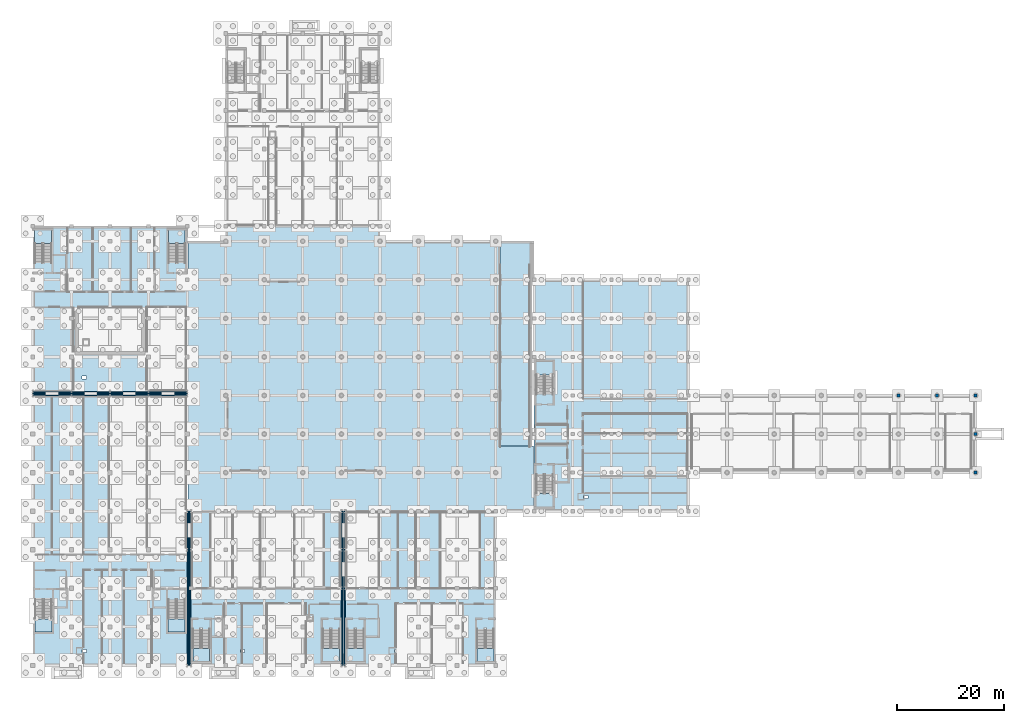
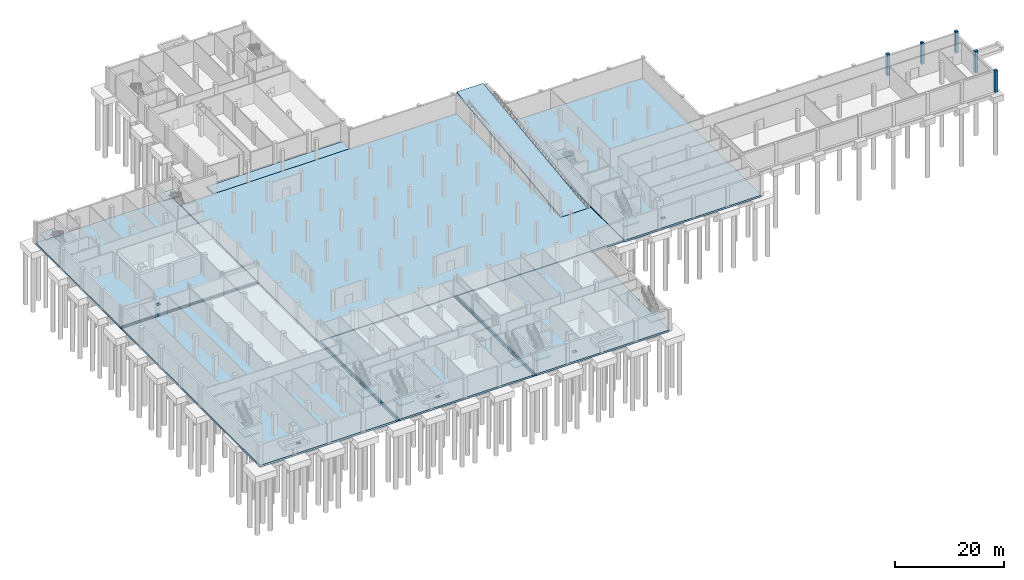
# One storey, part 13 of 35: 24 slabs, 5 columns, 10 elements without a shape of their own.
"""IFC4 building model written with IfcOpenShell, lengths in metres."""

from ifc_helpers import new_model, si_unit, direction, frame, origin, origin_2d, place, context, subcontext, project, spatial, polyline, rectangle, outline, extrude, material, layer, layer_set, material_profile, profile_set, type_object, element, aggregate, save


model = new_model("IFC4")

# Units and contexts
model_context = context("Model", 3, precision=1e-05, world=origin(), true_north=direction((0.0, 1.0)))
body_context = subcontext(model_context, "Body", "Model", "MODEL_VIEW")
ifc_project = project(units=[si_unit("LENGTHUNIT", "METRE"), si_unit("AREAUNIT", "SQUARE_METRE"), si_unit("VOLUMEUNIT", "CUBIC_METRE"), si_unit("PLANEANGLEUNIT", "RADIAN"), si_unit("MASSUNIT", "GRAM", prefix="KILO")], contexts=[model_context])

# Site, building, storey
site_placement = place(None, origin())
site = spatial("IfcSite", under=ifc_project, at=site_placement, CompositionType="ELEMENT")
building_placement = place(site_placement, origin())
building = spatial("IfcBuilding", under=site, at=building_placement, Name="Zarrinpeak Specialist Clinic", CompositionType="ELEMENT")
storey_placement = place(building_placement, frame((0.0, 0.0, -4.800048828125)))
storey = spatial("IfcBuildingStorey", under=building, at=storey_placement, Name="B01", CompositionType="ELEMENT", Elevation=-4.800048828125)

# Columns
ifc_material_1 = material(Name="Concrete C40/50", Category="concrete")
ifc_material_profile = material_profile(ifc_material_1, rectangle(XDim=0.60009765625, YDim=0.60009765625, at=origin_2d()), Name="RC 600x600")
ifc_profile_set = profile_set([ifc_material_profile], Name="Concrete C40/50")
column_type = type_object("IfcColumnType", Name="COL-RC600", PredefinedType="COLUMN", material=ifc_profile_set)
for number, where, z_axis, x_axis, name in (
    (1, (161.60009765625, 50.39990234375, 0.0), (0.0, 0.0, 1.0), (1.0, 0.0, 0.0), "B01 Structural Column COL-B01-241"),
    (2, (168.800048828125, 50.39990234375, 0.0), (0.0, 0.0, 1.0), (1.0, 0.0, 0.0), "B01 Structural Column COL-B01-244"),
    (3, (176.0, 36.0, 0.0), (0.0, 0.0, 1.0), (1.0, 0.0, 0.0), "B01 Structural Column COL-B01-245"),
    (4, (176.0, 43.199951171875, 0.0), (0.0, 0.0, 1.0), (1.0, 0.0, 0.0), "B01 Structural Column COL-B01-246"),
    (5, (176.0, 50.39990234375, 0.0), (0.0, 0.0, 1.0), (1.0, 0.0, 0.0), "B01 Structural Column COL-B01-247"),
):
    element("IfcColumn", number, at=place(storey_placement, frame(where, z_axis=z_axis, x_axis=x_axis)), inside=storey, type_object=column_type, Name=name, PredefinedType="COLUMN", context=body_context, shape_type="SweptSolid", body=[
        extrude(rectangle(XDim=0.60009765625, YDim=0.60009765625, at=origin_2d()), origin(), (0.0, 0.0, 1.0), 4.800048828125),
    ])

# Slabs
ifc_material_2 = material(Name="Concrete C35/45", Category="concrete")
ifc_layer_1 = layer(ifc_material_2, 0.39990234375)
ifc_layer_set_1 = layer_set([ifc_layer_1], Name="Concrete C35/45")
slab_type_1 = type_object("IfcSlabType", Name="SL-BASE400", PredefinedType="BASESLAB", material=ifc_layer_set_1)
slab_1_placement = place(storey_placement, frame((0.0, 0.0, -0.39990234375)))
element("IfcSlab", 6, at=slab_1_placement, inside=storey, type_object=slab_type_1, Name="B01 Substructure Base Slab V2", PredefinedType="BASESLAB", context=body_context, shape_type="SweptSolid", body=[
    extrude(outline(polyline([(29.52001953125, 0.0), (57.60009765625, 0.0), (57.60009765625, 28.800048828125), (29.52001953125, 28.800048828125), (29.52001953125, 0.0)]), holes=[polyline([(38.719970703125, 2.39990234375), (39.52001953125, 2.39990234375), (39.52001953125, 2.949951171875), (38.719970703125, 2.949951171875), (38.719970703125, 2.39990234375)])]), origin(), (0.0, 0.0, 1.0), 0.39990234375),
])
slab_2_placement = place(storey_placement, frame((0.0, 0.0, -0.39990234375)))
element("IfcSlab", 7, at=slab_2_placement, inside=storey, type_object=slab_type_1, Name="B01 Substructure Base Slab V4", PredefinedType="BASESLAB", context=body_context, shape_type="SweptSolid", body=[
    extrude(outline(polyline([(58.320068359375, 0.0), (86.39990234375, 0.0), (86.39990234375, 28.800048828125), (58.320068359375, 28.800048828125), (58.320068359375, 0.0)]), holes=[polyline([(67.52001953125, 2.39990234375), (68.320068359375, 2.39990234375), (68.320068359375, 2.949951171875), (67.52001953125, 2.949951171875), (67.52001953125, 2.39990234375)])]), origin(), (0.0, 0.0, 1.0), 0.39990234375),
])
slab_3_placement = place(storey_placement, frame((0.0, 0.0, -0.39990234375)))
element("IfcSlab", 8, at=slab_3_placement, inside=storey, type_object=slab_type_1, Name="B01 Substructure Base Slab V3", PredefinedType="BASESLAB", context=body_context, shape_type="SweptSolid", body=[
    extrude(outline(polyline([(93.60009765625, 28.800048828125), (122.39990234375, 28.800048828125), (122.39990234375, 72.0), (93.60009765625, 72.0), (93.60009765625, 28.800048828125)]), holes=[polyline([(102.800048828125, 31.199951171875), (103.60009765625, 31.199951171875), (103.60009765625, 31.75), (102.800048828125, 31.75), (102.800048828125, 31.199951171875)])]), origin(), (0.0, 0.0, 1.0), 0.39990234375),
])
slab_4_placement = place(storey_placement, frame((0.0, 0.0, -0.39990234375)))
element("IfcSlab", 9, at=slab_4_placement, inside=storey, type_object=slab_type_1, Name="B01 Substructure Base Slab B01-SJ1A", PredefinedType="BASESLAB", context=body_context, shape_type="SweptSolid", body=[
    extrude(outline(polyline([(28.800048828125, 0.0), (29.090087890625, 0.0), (29.090087890625, 28.800048828125), (28.800048828125, 28.800048828125), (28.800048828125, 0.0)])), origin(), (0.0, 0.0, 1.0), 0.39990234375),
])
slab_5_placement = place(storey_placement, frame((0.0, 0.0, -0.39990234375)))
element("IfcSlab", 10, at=slab_5_placement, inside=storey, type_object=slab_type_1, Name="B01 Substructure Base Slab B01-SJ1B", PredefinedType="BASESLAB", context=body_context, shape_type="SweptSolid", body=[
    extrude(outline(polyline([(29.22998046875, 0.0), (29.52001953125, 0.0), (29.52001953125, 28.800048828125), (29.22998046875, 28.800048828125), (29.22998046875, 0.0)])), origin(), (0.0, 0.0, 1.0), 0.39990234375),
])
slab_6_placement = place(storey_placement, frame((0.0, 0.0, -0.39990234375)))
element("IfcSlab", 11, at=slab_6_placement, inside=storey, type_object=slab_type_1, Name="B01 Substructure Base Slab B01-SJ2A", PredefinedType="BASESLAB", context=body_context, shape_type="SweptSolid", body=[
    extrude(outline(polyline([(57.60009765625, 0.0), (57.889892578125, 0.0), (57.889892578125, 28.800048828125), (57.60009765625, 28.800048828125), (57.60009765625, 0.0)])), origin(), (0.0, 0.0, 1.0), 0.39990234375),
])
slab_7_placement = place(storey_placement, frame((0.0, 0.0, -0.39990234375)))
element("IfcSlab", 12, at=slab_7_placement, inside=storey, type_object=slab_type_1, Name="B01 Substructure Base Slab B01-SJ2B", PredefinedType="BASESLAB", context=body_context, shape_type="SweptSolid", body=[
    extrude(outline(polyline([(58.030029296875, 0.0), (58.320068359375, 0.0), (58.320068359375, 28.800048828125), (58.030029296875, 28.800048828125), (58.030029296875, 0.0)])), origin(), (0.0, 0.0, 1.0), 0.39990234375),
])
slab_8_placement = place(storey_placement, frame((0.0, 0.0, -0.39990234375)))
element("IfcSlab", 13, at=slab_8_placement, inside=storey, type_object=slab_type_1, Name="B01 Substructure Base Slab B01-SJ4A", PredefinedType="BASESLAB", context=body_context, shape_type="SweptSolid", body=[
    extrude(outline(polyline([(0.0, 50.39990234375), (28.800048828125, 50.39990234375), (28.800048828125, 50.68994140625), (0.0, 50.68994140625), (0.0, 50.39990234375)])), origin(), (0.0, 0.0, 1.0), 0.39990234375),
])
slab_9_placement = place(storey_placement, frame((0.0, 0.0, -0.39990234375)))
element("IfcSlab", 14, at=slab_9_placement, inside=storey, type_object=slab_type_1, Name="B01 Substructure Base Slab B01-SJ4B", PredefinedType="BASESLAB", context=body_context, shape_type="SweptSolid", body=[
    extrude(outline(polyline([(0.0, 50.830078125), (28.800048828125, 50.830078125), (28.800048828125, 51.1201171875), (0.0, 51.1201171875), (0.0, 50.830078125)])), origin(), (0.0, 0.0, 1.0), 0.39990234375),
])
slab_10_placement = place(storey_placement, frame((0.0, 0.0, -0.39990234375)))
element("IfcSlab", 15, at=slab_10_placement, inside=storey, type_object=slab_type_1, Name="B01 Substructure Base Slab B01-SJ5A", PredefinedType="BASESLAB", context=body_context, shape_type="SweptSolid", body=[
    extrude(outline(polyline([(36.0, 79.199951171875), (64.800048828125, 79.199951171875), (64.800048828125, 81.860107421875), (36.0, 81.860107421875), (36.0, 79.199951171875)])), origin(), (0.0, 0.0, 1.0), 0.39990234375),
])
slab_11_placement = place(storey_placement, frame((0.0, 0.0, -0.39990234375)))
element("IfcSlab", 16, at=slab_11_placement, inside=storey, type_object=slab_type_1, Name="B01 Substructure Base Slab B01-C1", PredefinedType="BASESLAB", context=body_context, shape_type="SweptSolid", body=[
    extrude(outline(polyline([(28.93994140625, 28.93994140625), (93.4599609375, 28.93994140625), (93.4599609375, 41.0), (87.199951171875, 41.0), (87.199951171875, 79.199951171875), (28.93994140625, 79.199951171875), (28.93994140625, 28.93994140625)])), origin(), (0.0, 0.0, 1.0), 0.39990234375),
])
ifc_layer_2 = layer(ifc_material_1, 0.4599609375)
ifc_layer_set_2 = layer_set([ifc_layer_2], Name="Concrete C40/50")
slab_type_2 = type_object("IfcSlabType", Name="SL-BASE460", PredefinedType="BASESLAB", material=ifc_layer_set_2)
slab_12_placement = place(storey_placement, frame((0.0, 0.0, -0.4599609375)))
element("IfcSlab", 17, at=slab_12_placement, inside=storey, type_object=slab_type_2, Name="B01 Substructure Base Slab V1", PredefinedType="BASESLAB", context=body_context, shape_type="SweptSolid", body=[
    extrude(outline(polyline([(0.0, 0.0), (28.800048828125, 0.0), (28.800048828125, 50.39990234375), (0.0, 50.39990234375), (0.0, 0.0)]), holes=[polyline([(9.199951171875, 2.39990234375), (10.0, 2.39990234375), (10.0, 2.949951171875), (9.199951171875, 2.949951171875), (9.199951171875, 2.39990234375)])]), origin(), (0.0, 0.0, 1.0), 0.4599609375),
])
slab_13_placement = place(storey_placement, frame((0.0, 0.0, -0.4599609375)))
element("IfcSlab", 18, at=slab_13_placement, inside=storey, type_object=slab_type_2, Name="B01 Substructure Base Slab V5", PredefinedType="BASESLAB", context=body_context, shape_type="SweptSolid", body=[
    extrude(outline(polyline([(0.0, 51.1201171875), (28.800048828125, 51.1201171875), (28.800048828125, 82.0), (0.0, 82.0), (0.0, 51.1201171875)]), holes=[polyline([(9.199951171875, 53.52001953125), (10.0, 53.52001953125), (10.0, 54.070068359375), (9.199951171875, 54.070068359375), (9.199951171875, 53.52001953125)])]), origin(), (0.0, 0.0, 1.0), 0.4599609375),
])

# Stair, slab
stair_type = type_object("IfcStairType", Name="ST-DOG", PredefinedType="HALF_TURN_STAIR", material=ifc_material_2)
stair_1_placement = place(storey_placement, origin())
stair_1 = element("IfcStair", 19, at=stair_1_placement, inside=storey, type_object=stair_type, Name="B01 Protected Exit Stair ST-01", PredefinedType="HALF_TURN_STAIR")
ifc_layer_3 = layer(ifc_material_2, 0.199951171875)
ifc_layer_set_3 = layer_set([ifc_layer_3], Name="Concrete C35/45")
slab_type_3 = type_object("IfcSlabType", Name="SL-LAND200", PredefinedType="LANDING", material=ifc_layer_set_3)
slab_14_placement = place(storey_placement, frame((0.0, 0.0, 2.199951171875)))
slab_14 = element("IfcSlab", 20, at=slab_14_placement, type_object=slab_type_3, Name="ST-01 landing 1", PredefinedType="LANDING", context=body_context, shape_type="SweptSolid", body=[
    extrude(outline(polyline([(0.39990234375, 8.7099609375), (0.39990234375, 6.25), (3.550048828125, 6.25), (3.550048828125, 8.7099609375), (0.39990234375, 8.7099609375)])), origin(), (0.0, 0.0, 1.0), 0.2001953125),
])
aggregate(stair_1, [slab_14])

stair_2_placement = place(storey_placement, origin())
stair_2 = element("IfcStair", 21, at=stair_2_placement, inside=storey, type_object=stair_type, Name="B01 Protected Exit Stair ST-02", PredefinedType="HALF_TURN_STAIR")
slab_15_placement = place(storey_placement, frame((0.0, 0.0, 2.199951171875)))
slab_15 = element("IfcSlab", 22, at=slab_15_placement, type_object=slab_type_3, Name="ST-02 landing 1", PredefinedType="LANDING", context=body_context, shape_type="SweptSolid", body=[
    extrude(outline(polyline([(25.25, 8.7099609375), (25.25, 6.25), (28.39990234375, 6.25), (28.39990234375, 8.7099609375), (25.25, 8.7099609375)])), origin(), (0.0, 0.0, 1.0), 0.2001953125),
])
aggregate(stair_2, [slab_15])

stair_3_placement = place(storey_placement, origin())
stair_3 = element("IfcStair", 23, at=stair_3_placement, inside=storey, type_object=stair_type, Name="B01 Protected Exit Stair ST-03", PredefinedType="HALF_TURN_STAIR")
slab_16_placement = place(storey_placement, frame((0.0, 0.0, 2.199951171875)))
slab_16 = element("IfcSlab", 24, at=slab_16_placement, type_object=slab_type_3, Name="ST-03 landing 1", PredefinedType="LANDING", context=body_context, shape_type="SweptSolid", body=[
    extrude(outline(polyline([(29.8701171875, 3.2099609375), (29.8701171875, 0.75), (33.02001953125, 0.75), (33.02001953125, 3.2099609375), (29.8701171875, 3.2099609375)])), origin(), (0.0, 0.0, 1.0), 0.2001953125),
])
aggregate(stair_3, [slab_16])

stair_4_placement = place(storey_placement, origin())
stair_4 = element("IfcStair", 25, at=stair_4_placement, inside=storey, type_object=stair_type, Name="B01 Protected Exit Stair ST-04", PredefinedType="HALF_TURN_STAIR")
slab_17_placement = place(storey_placement, frame((0.0, 0.0, 2.199951171875)))
slab_17 = element("IfcSlab", 26, at=slab_17_placement, type_object=slab_type_3, Name="ST-04 landing 1", PredefinedType="LANDING", context=body_context, shape_type="SweptSolid", body=[
    extrude(outline(polyline([(54.10009765625, 3.2099609375), (54.10009765625, 0.75), (57.25, 0.75), (57.25, 3.2099609375), (54.10009765625, 3.2099609375)])), origin(), (0.0, 0.0, 1.0), 0.2001953125),
])
aggregate(stair_4, [slab_17])

stair_5_placement = place(storey_placement, origin())
stair_5 = element("IfcStair", 27, at=stair_5_placement, inside=storey, type_object=stair_type, Name="B01 Protected Exit Stair ST-05", PredefinedType="HALF_TURN_STAIR")
slab_18_placement = place(storey_placement, frame((0.0, 0.0, 2.199951171875)))
slab_18 = element("IfcSlab", 28, at=slab_18_placement, type_object=slab_type_3, Name="ST-05 landing 1", PredefinedType="LANDING", context=body_context, shape_type="SweptSolid", body=[
    extrude(outline(polyline([(93.949951171875, 32.06005859375), (93.949951171875, 29.60009765625), (97.10009765625, 29.60009765625), (97.10009765625, 32.06005859375), (93.949951171875, 32.06005859375)])), origin(), (0.0, 0.0, 1.0), 0.2001953125),
])
aggregate(stair_5, [slab_18])

stair_6_placement = place(storey_placement, origin())
stair_6 = element("IfcStair", 29, at=stair_6_placement, inside=storey, type_object=stair_type, Name="B01 Protected Exit Stair ST-06", PredefinedType="HALF_TURN_STAIR")
slab_19_placement = place(storey_placement, frame((0.0, 0.0, 2.199951171875)))
slab_19 = element("IfcSlab", 30, at=slab_19_placement, type_object=slab_type_3, Name="ST-06 landing 1", PredefinedType="LANDING", context=body_context, shape_type="SweptSolid", body=[
    extrude(outline(polyline([(97.10009765625, 54.239990234375), (97.10009765625, 56.699951171875), (93.949951171875, 56.699951171875), (93.949951171875, 54.239990234375), (97.10009765625, 54.239990234375)])), origin(), (0.0, 0.0, 1.0), 0.2001953125),
])
aggregate(stair_6, [slab_19])

stair_7_placement = place(storey_placement, origin())
stair_7 = element("IfcStair", 31, at=stair_7_placement, inside=storey, type_object=stair_type, Name="B01 Protected Exit Stair ST-07", PredefinedType="HALF_TURN_STAIR")
slab_20_placement = place(storey_placement, frame((0.0, 0.0, 2.199951171875)))
slab_20 = element("IfcSlab", 32, at=slab_20_placement, type_object=slab_type_3, Name="ST-07 landing 1", PredefinedType="LANDING", context=body_context, shape_type="SweptSolid", body=[
    extrude(outline(polyline([(58.669921875, 3.2099609375), (58.669921875, 0.75), (61.820068359375, 0.75), (61.820068359375, 3.2099609375), (58.669921875, 3.2099609375)])), origin(), (0.0, 0.0, 1.0), 0.2001953125),
])
aggregate(stair_7, [slab_20])

stair_8_placement = place(storey_placement, origin())
stair_8 = element("IfcStair", 33, at=stair_8_placement, inside=storey, type_object=stair_type, Name="B01 Protected Exit Stair ST-08", PredefinedType="HALF_TURN_STAIR")
slab_21_placement = place(storey_placement, frame((0.0, 0.0, 2.199951171875)))
slab_21 = element("IfcSlab", 34, at=slab_21_placement, type_object=slab_type_3, Name="ST-08 landing 1", PredefinedType="LANDING", context=body_context, shape_type="SweptSolid", body=[
    extrude(outline(polyline([(82.89990234375, 3.2099609375), (82.89990234375, 0.75), (86.050048828125, 0.75), (86.050048828125, 3.2099609375), (82.89990234375, 3.2099609375)])), origin(), (0.0, 0.0, 1.0), 0.2001953125),
])
aggregate(stair_8, [slab_21])

stair_9_placement = place(storey_placement, origin())
stair_9 = element("IfcStair", 35, at=stair_9_placement, inside=storey, type_object=stair_type, Name="B01 Protected Exit Stair ST-09", PredefinedType="HALF_TURN_STAIR")
slab_22_placement = place(storey_placement, frame((0.0, 0.0, 2.199951171875)))
slab_22 = element("IfcSlab", 36, at=slab_22_placement, type_object=slab_type_3, Name="ST-09 landing 1", PredefinedType="LANDING", context=body_context, shape_type="SweptSolid", body=[
    extrude(outline(polyline([(3.5, 78.7900390625), (3.5, 81.25), (0.35009765625, 81.25), (0.35009765625, 78.7900390625), (3.5, 78.7900390625)])), origin(), (0.0, 0.0, 1.0), 0.2001953125),
])
aggregate(stair_9, [slab_22])

stair_10_placement = place(storey_placement, origin())
stair_10 = element("IfcStair", 37, at=stair_10_placement, inside=storey, type_object=stair_type, Name="B01 Protected Exit Stair ST-10", PredefinedType="HALF_TURN_STAIR")
slab_23_placement = place(storey_placement, frame((0.0, 0.0, 2.199951171875)))
slab_23 = element("IfcSlab", 38, at=slab_23_placement, type_object=slab_type_3, Name="ST-10 landing 1", PredefinedType="LANDING", context=body_context, shape_type="SweptSolid", body=[
    extrude(outline(polyline([(28.449951171875, 78.7900390625), (28.449951171875, 81.25), (25.300048828125, 81.25), (25.300048828125, 78.7900390625), (28.449951171875, 78.7900390625)])), origin(), (0.0, 0.0, 1.0), 0.2001953125),
])
aggregate(stair_10, [slab_23])

# Slab
ifc_layer_4 = layer(ifc_material_2, 0.300048828125)
ifc_layer_set_4 = layer_set([ifc_layer_4], Name="Concrete C35/45")
slab_type_4 = type_object("IfcSlabType", Name="SL-RAMP300", PredefinedType="FLOOR", material=ifc_layer_set_4)
slab_24_placement = place(storey_placement, frame((87.199951171875, 41.0, -0.030029296875), z_axis=(0.0, -0.124675468434, 0.992197574866), x_axis=(1.0, 0.0, 0.0)))
element("IfcSlab", 39, at=slab_24_placement, inside=storey, type_object=slab_type_4, Name="B01 Structural Concrete C35/45 Vehicle Ramp Deck Slab", PredefinedType="FLOOR", context=body_context, shape_type="SweptSolid", body=[
    extrude(outline(polyline([(0.0, 0.0), (5.60009765625, 0.0), (5.60009765625, 38.50034724890178), (0.0, 38.50034724890178), (0.0, 0.0)])), origin(), (0.0, 0.0, -1.0), 0.300048828125),
])

save(model, "model.ifc")
